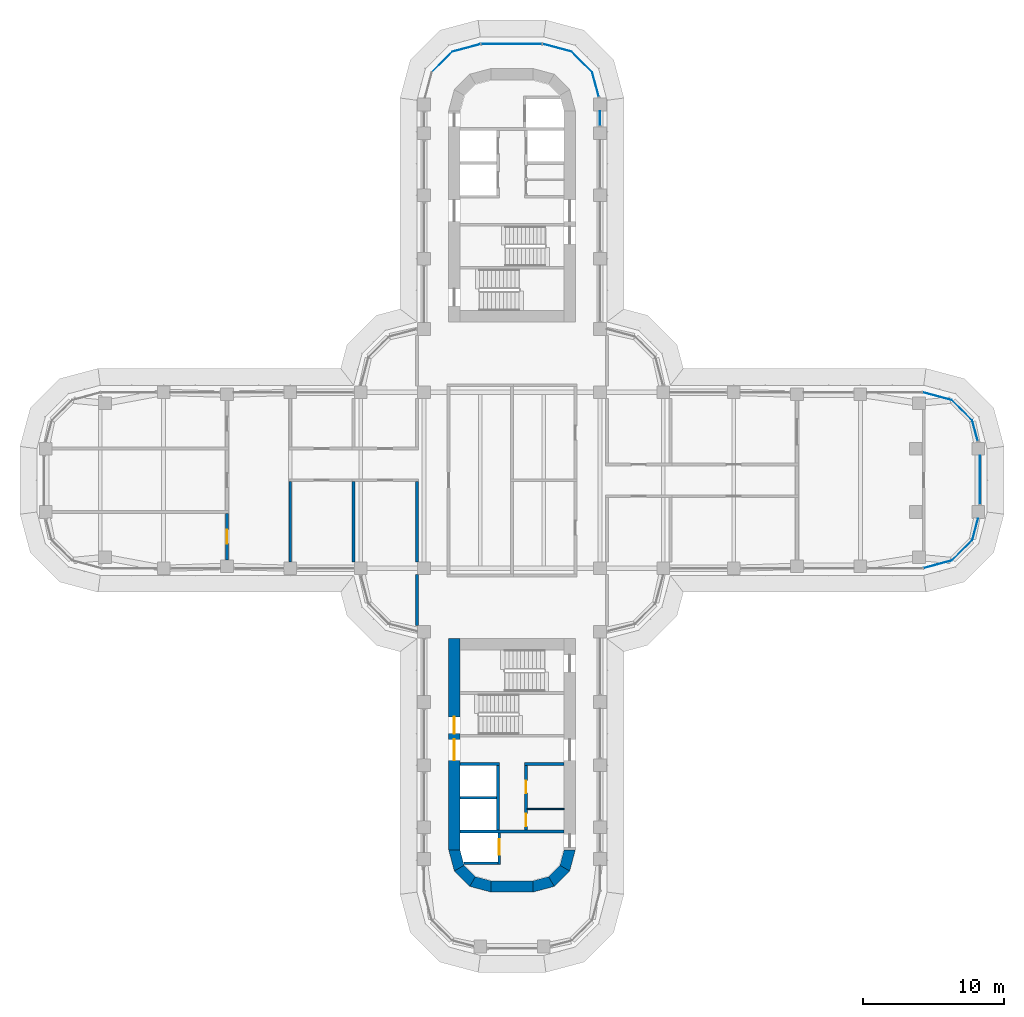
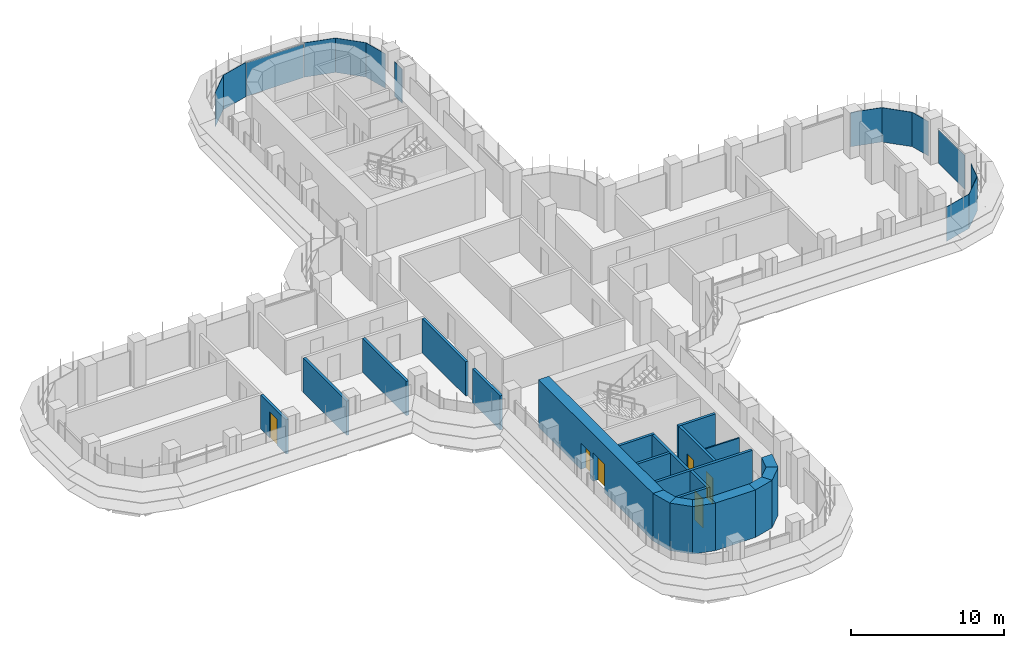
# One storey, part 15 of 22: 22 walls, 14 plates, 6 doors, 6 openings, 14 elements without a shape of their own.
"""IFC4 building model written with IfcOpenShell, lengths in metres."""

from ifc_helpers import new_model, si_unit, direction, frame, frame_2d, origin, place, context, subcontext, project, spatial, polyline, rectangle, outline, extrude, source, transform, mapped, material, layer, layer_set, type_object, element, fill, aggregate, save


model = new_model("IFC4")

# Units and contexts
model_context = context("Model", 3, precision=1e-05, world=origin(), true_north=direction((0.0, 1.0)))
body_context = subcontext(model_context, "Body", "Model", "MODEL_VIEW")
ifc_project = project(units=[si_unit("LENGTHUNIT", "METRE"), si_unit("AREAUNIT", "SQUARE_METRE"), si_unit("VOLUMEUNIT", "CUBIC_METRE"), si_unit("PLANEANGLEUNIT", "RADIAN"), si_unit("MASSUNIT", "GRAM", prefix="KILO")], contexts=[model_context])

# Site, building, storey
site_placement = place(None, origin())
site = spatial("IfcSite", under=ifc_project, at=site_placement, CompositionType="ELEMENT")
building_placement = place(site_placement, origin())
building = spatial("IfcBuilding", under=site, at=building_placement, Name="Zarbagh Exchange Tower", CompositionType="ELEMENT")
storey_placement = place(building_placement, frame((0.0, 0.0, 98.0)))
storey = spatial("IfcBuildingStorey", under=building, at=storey_placement, Name="L22", CompositionType="ELEMENT", Elevation=98.0)

# Curtain wall, plate
ifc_material_1 = material(Name="Anodised aluminium frame and glazing", Category="aluminium")
curtain_wall_type = type_object("IfcCurtainWallType", Name="CWA Ribbon glazing, lower zones", PredefinedType="NOTDEFINED", material=ifc_material_1)
curtain_wall_1_placement = place(storey_placement, origin())
curtain_wall_1 = element("IfcCurtainWall", 1, at=curtain_wall_1_placement, inside=storey, type_object=curtain_wall_type, Name="CWA13 curtain wall", PredefinedType="NOTDEFINED")
ifc_material_2 = material(Name="Low-e double glazed unit, 6+12+6 mm")
ifc_layer_1 = layer(ifc_material_2, 0.028076171875)
ifc_layer_set_1 = layer_set([ifc_layer_1], Name="PAA Glazing panel, Low-e double glazed unit, 6+12+6 mm")
plate_type = type_object("IfcPlateType", Name="PAA Glazing panel, Low-e double glazed unit, 6+12+6 mm", PredefinedType="CURTAIN_PANEL", material=ifc_layer_set_1)
shared_shape_1 = source(origin(), body_context, "Body", "SweptSolid", [
    extrude(outline(polyline([(0.0, -0.013916015625), (1.494140625, -0.013916015625), (1.494140625, 0.013916015625), (0.0, 0.013916015625), (0.0, -0.013916015625)])), origin(), (0.0, 0.0, 1.0), 2.75),
])
placement = place(storey_placement, origin())
plate_1 = element("IfcPlate", 2, at=placement, type_object=plate_type, Name="CWA13 glazing panel 1.1", PredefinedType="CURTAIN_PANEL", context=body_context, shape_type="MappedRepresentation", body=[
    mapped(shared_shape_1, transform((33.08544921875, 2.7978515625, 0.0), x_axis=(-0.258824779902, 0.965924289636, 0.0), y_axis=(-0.965924289636, -0.258824779902, 0.0), z_axis=(0.0, 0.0, 1.0))),
])
aggregate(curtain_wall_1, [plate_1])

curtain_wall_2_placement = place(storey_placement, origin())
curtain_wall_2 = element("IfcCurtainWall", 3, at=curtain_wall_2_placement, inside=storey, type_object=curtain_wall_type, Name="CWA10 curtain wall", PredefinedType="NOTDEFINED")
shared_shape_2 = source(origin(), body_context, "Body", "SweptSolid", [
    extrude(outline(polyline([(0.0, -0.013916015625), (2.061279296875, -0.013916015625), (2.061279296875, 0.013916015625), (0.0, 0.013916015625), (0.0, -0.013916015625)])), origin(), (0.0, 0.0, 1.0), 2.75),
])
plate_2 = element("IfcPlate", 4, at=placement, type_object=plate_type, Name="CWA10 glazing panel 1.1", PredefinedType="CURTAIN_PANEL", context=body_context, shape_type="MappedRepresentation", body=[
    mapped(shared_shape_2, transform((31.2412109375, -5.69873046875, 0.0), x_axis=(0.707106781187, 0.707106781187, 0.0), y_axis=(-0.707106781187, 0.707106781187, 0.0), z_axis=(0.0, 0.0, 1.0))),
])
aggregate(curtain_wall_2, [plate_2])

curtain_wall_3_placement = place(storey_placement, origin())
curtain_wall_3 = element("IfcCurtainWall", 5, at=curtain_wall_3_placement, inside=storey, type_object=curtain_wall_type, Name="CWA14 curtain wall", PredefinedType="NOTDEFINED")
plate_3 = element("IfcPlate", 6, at=placement, type_object=plate_type, Name="CWA14 glazing panel 1.1", PredefinedType="CURTAIN_PANEL", context=body_context, shape_type="MappedRepresentation", body=[
    mapped(shared_shape_2, transform((32.69873046875, 4.2412109375, 0.0), x_axis=(-0.707106781187, 0.707106781187, 0.0), y_axis=(-0.707106781187, -0.707106781187, 0.0), z_axis=(0.0, 0.0, 1.0))),
])
aggregate(curtain_wall_3, [plate_3])

curtain_wall_4_placement = place(storey_placement, origin())
curtain_wall_4 = element("IfcCurtainWall", 7, at=curtain_wall_4_placement, inside=storey, type_object=curtain_wall_type, Name="CWA51 curtain wall", PredefinedType="NOTDEFINED")
plate_4 = element("IfcPlate", 8, at=placement, type_object=plate_type, Name="CWA51 glazing panel 1.1", PredefinedType="CURTAIN_PANEL", context=body_context, shape_type="MappedRepresentation", body=[
    mapped(shared_shape_2, transform((5.69873046875, 28.9912109375, 0.0), x_axis=(-0.707106781187, 0.707106781187, 0.0), y_axis=(-0.707106781187, -0.707106781187, 0.0), z_axis=(0.0, 0.0, 1.0))),
])
aggregate(curtain_wall_4, [plate_4])

curtain_wall_5_placement = place(storey_placement, origin())
curtain_wall_5 = element("IfcCurtainWall", 9, at=curtain_wall_5_placement, inside=storey, type_object=curtain_wall_type, Name="CWA54 curtain wall", PredefinedType="NOTDEFINED")
plate_5 = element("IfcPlate", 10, at=placement, type_object=plate_type, Name="CWA54 glazing panel 1.1", PredefinedType="CURTAIN_PANEL", context=body_context, shape_type="MappedRepresentation", body=[
    mapped(shared_shape_2, transform((-4.2412109375, 30.44873046875, 0.0), x_axis=(-0.707106781187, -0.707106781187, 0.0), y_axis=(0.707106781187, -0.707106781187, 0.0), z_axis=(0.0, 0.0, 1.0))),
])
aggregate(curtain_wall_5, [plate_5])

curtain_wall_6_placement = place(storey_placement, origin())
curtain_wall_6 = element("IfcCurtainWall", 11, at=curtain_wall_6_placement, inside=storey, type_object=curtain_wall_type, Name="CWA15 curtain wall", PredefinedType="NOTDEFINED")
shared_shape_3 = source(origin(), body_context, "Body", "SweptSolid", [
    extrude(outline(polyline([(0.0, -0.013916015625), (2.129638671875, -0.013916015625), (2.129638671875, 0.013916015625), (0.0, 0.013916015625), (0.0, -0.013916015625)])), origin(), (0.0, 0.0, 1.0), 2.75),
])
plate_6 = element("IfcPlate", 12, at=placement, type_object=plate_type, Name="CWA15 glazing panel 1.1", PredefinedType="CURTAIN_PANEL", context=body_context, shape_type="MappedRepresentation", body=[
    mapped(shared_shape_3, transform((31.2412109375, 5.69873046875, 0.0), x_axis=(-0.965924289636, 0.258824779902, 0.0), y_axis=(-0.258824779902, -0.965924289636, 0.0), z_axis=(0.0, 0.0, 1.0))),
])
aggregate(curtain_wall_6, [plate_6])

curtain_wall_7_placement = place(storey_placement, origin())
curtain_wall_7 = element("IfcCurtainWall", 13, at=curtain_wall_7_placement, inside=storey, type_object=curtain_wall_type, Name="CWA52 curtain wall", PredefinedType="NOTDEFINED")
plate_7 = element("IfcPlate", 14, at=placement, type_object=plate_type, Name="CWA52 glazing panel 1.1", PredefinedType="CURTAIN_PANEL", context=body_context, shape_type="MappedRepresentation", body=[
    mapped(shared_shape_3, transform((4.2412109375, 30.44873046875, 0.0), x_axis=(-0.965924289636, 0.258824779902, 0.0), y_axis=(-0.258824779902, -0.965924289636, 0.0), z_axis=(0.0, 0.0, 1.0))),
])
aggregate(curtain_wall_7, [plate_7])

curtain_wall_8_placement = place(storey_placement, origin())
curtain_wall_8 = element("IfcCurtainWall", 15, at=curtain_wall_8_placement, inside=storey, type_object=curtain_wall_type, Name="CWA09 curtain wall", PredefinedType="NOTDEFINED")
shared_shape_4 = source(origin(), body_context, "Body", "SweptSolid", [
    extrude(outline(polyline([(0.0, -0.013916015625), (2.069580078125, -0.013916015625), (2.069580078125, 0.013916015625), (0.0, 0.013916015625), (0.0, -0.013916015625)])), origin(), (0.0, 0.0, 1.0), 2.75),
])
plate_8 = element("IfcPlate", 16, at=placement, type_object=plate_type, Name="CWA09 glazing panel 1.1", PredefinedType="CURTAIN_PANEL", context=body_context, shape_type="MappedRepresentation", body=[
    mapped(shared_shape_4, transform((29.2421875, -6.234375, 0.0), x_axis=(0.965924289636, 0.258824779902, 0.0), y_axis=(-0.258824779902, 0.965924289636, 0.0), z_axis=(0.0, 0.0, 1.0))),
])
aggregate(curtain_wall_8, [plate_8])

curtain_wall_9_placement = place(storey_placement, origin())
curtain_wall_9 = element("IfcCurtainWall", 17, at=curtain_wall_9_placement, inside=storey, type_object=curtain_wall_type, Name="CWA53 curtain wall", PredefinedType="NOTDEFINED")
plate_9 = element("IfcPlate", 18, at=placement, type_object=plate_type, Name="CWA53 glazing panel 1.1", PredefinedType="CURTAIN_PANEL", context=body_context, shape_type="MappedRepresentation", body=[
    mapped(shared_shape_4, transform((-2.2421875, 30.984375, 0.0), x_axis=(-0.965924289636, -0.258824779902, 0.0), y_axis=(0.258824779902, -0.965924289636, 0.0), z_axis=(0.0, 0.0, 1.0))),
])
aggregate(curtain_wall_9, [plate_9])

curtain_wall_10_placement = place(storey_placement, origin())
curtain_wall_10 = element("IfcCurtainWall", 19, at=curtain_wall_10_placement, inside=storey, type_object=curtain_wall_type, Name="CWA11 curtain wall", PredefinedType="NOTDEFINED")
shared_shape_5 = source(origin(), body_context, "Body", "SweptSolid", [
    extrude(outline(polyline([(0.0, -0.013916015625), (1.55419921875, -0.013916015625), (1.55419921875, 0.013916015625), (0.0, 0.013916015625), (0.0, -0.013916015625)])), origin(), (0.0, 0.0, 1.0), 2.75),
])
plate_10 = element("IfcPlate", 20, at=placement, type_object=plate_type, Name="CWA11 glazing panel 1.1", PredefinedType="CURTAIN_PANEL", context=body_context, shape_type="MappedRepresentation", body=[
    mapped(shared_shape_5, transform((32.69873046875, -4.2412109375, 0.0), x_axis=(0.258824779902, 0.965924289636, 0.0), y_axis=(-0.965924289636, 0.258824779902, 0.0), z_axis=(0.0, 0.0, 1.0))),
])
aggregate(curtain_wall_10, [plate_10])

curtain_wall_11_placement = place(storey_placement, origin())
curtain_wall_11 = element("IfcCurtainWall", 21, at=curtain_wall_11_placement, inside=storey, type_object=curtain_wall_type, Name="CWA12 curtain wall", PredefinedType="NOTDEFINED")
shared_shape_6 = source(origin(), body_context, "Body", "SweptSolid", [
    extrude(outline(polyline([(0.0, -0.013916015625), (3.4599609375, -0.013916015625), (3.4599609375, 0.013916015625), (0.0, 0.013916015625), (0.0, -0.013916015625)])), origin(), (0.0, 0.0, 1.0), 2.68994140625),
])
plate_11 = element("IfcPlate", 22, at=placement, type_object=plate_type, Name="CWA12 glazing panel 1.1", PredefinedType="CURTAIN_PANEL", context=body_context, shape_type="MappedRepresentation", body=[
    mapped(shared_shape_6, transform((33.25, -1.699951171875, 0.0), x_axis=(0.0, 1.0, 0.0), y_axis=(-1.0, 0.0, 0.0), z_axis=(0.0, 0.0, 1.0))),
])
aggregate(curtain_wall_11, [plate_11])

curtain_wall_12_placement = place(storey_placement, origin())
curtain_wall_12 = element("IfcCurtainWall", 23, at=curtain_wall_12_placement, inside=storey, type_object=curtain_wall_type, Name="CWA49 curtain wall", PredefinedType="NOTDEFINED")
shared_shape_7 = source(origin(), body_context, "Body", "SweptSolid", [
    extrude(outline(polyline([(0.0, -0.013916015625), (1.010009765625, -0.013916015625), (1.010009765625, 0.013916015625), (0.0, 0.013916015625), (0.0, -0.013916015625)])), origin(), (0.0, 0.0, 1.0), 2.75),
])
plate_12 = element("IfcPlate", 24, at=placement, type_object=plate_type, Name="CWA49 glazing panel 4.1", PredefinedType="CURTAIN_PANEL", context=body_context, shape_type="MappedRepresentation", body=[
    mapped(shared_shape_7, transform((6.25, 25.199951171875, 0.0), x_axis=(0.0, 1.0, 0.0), y_axis=(-1.0, 0.0, 0.0), z_axis=(0.0, 0.0, 1.0))),
])
aggregate(curtain_wall_12, [plate_12])

curtain_wall_13_placement = place(storey_placement, origin())
curtain_wall_13 = element("IfcCurtainWall", 25, at=curtain_wall_13_placement, inside=storey, type_object=curtain_wall_type, Name="CWA50 curtain wall", PredefinedType="NOTDEFINED")
shared_shape_8 = source(origin(), body_context, "Body", "SweptSolid", [
    extrude(outline(polyline([(0.0, -0.013916015625), (1.8046875, -0.013916015625), (1.8046875, 0.013916015625), (0.0, 0.013916015625), (0.0, -0.013916015625)])), origin(), (0.0, 0.0, 1.0), 2.75),
])
plate_13 = element("IfcPlate", 26, at=placement, type_object=plate_type, Name="CWA50 glazing panel 1.1", PredefinedType="CURTAIN_PANEL", context=body_context, shape_type="MappedRepresentation", body=[
    mapped(shared_shape_8, transform((6.166015625, 27.248046875, 0.0), x_axis=(-0.258824779902, 0.965924289636, 0.0), y_axis=(-0.965924289636, -0.258824779902, 0.0), z_axis=(0.0, 0.0, 1.0))),
])
aggregate(curtain_wall_13, [plate_13])

curtain_wall_14_placement = place(storey_placement, origin())
curtain_wall_14 = element("IfcCurtainWall", 27, at=curtain_wall_14_placement, inside=storey, type_object=curtain_wall_type, Name="CWA57 curtain wall", PredefinedType="NOTDEFINED")
shared_shape_9 = source(origin(), body_context, "Body", "SweptSolid", [
    extrude(outline(polyline([(0.0, -0.013916015625), (4.308349609375, -0.013916015625), (4.308349609375, 0.013916015625), (0.0, 0.013916015625), (0.0, -0.013916015625)])), origin(), (0.0, 0.0, 1.0), 2.68994140625),
])
plate_14 = element("IfcPlate", 28, at=placement, type_object=plate_type, Name="CWA57 glazing panel 1.1", PredefinedType="CURTAIN_PANEL", context=body_context, shape_type="MappedRepresentation", body=[
    mapped(shared_shape_9, transform((2.124267578125, 31.0, 0.0), x_axis=(-1.0, 0.0, 0.0), y_axis=(0.0, -1.0, 0.0), z_axis=(0.0, 0.0, 1.0))),
])
aggregate(curtain_wall_14, [plate_14])

# Walls
ifc_material_3 = material(Name="Dense blockwork", Category="masonry")
ifc_layer_2 = layer(ifc_material_3, 0.10009765625)
ifc_layer_set_2 = layer_set([ifc_layer_2], Name="Core partition 100 mm blockwork")
wall_type_1 = type_object("IfcWallType", Name="Core partition 100 mm blockwork", PredefinedType="PARTITIONING", material=ifc_layer_set_2)
wall_1_placement = place(storey_placement, frame((3.699951171875, -23.35009765625, 0.0), z_axis=(0.0, 0.0, 1.0), x_axis=(-1.0, 0.0, 0.0)))
element("IfcWall", 29, at=wall_1_placement, inside=storey, type_object=wall_type_1, Name="South core partition wall CUT-W-500", PredefinedType="PARTITIONING", context=body_context, shape_type="SweptSolid", body=[
    extrude(rectangle(XDim=2.599853515625, YDim=0.10009765625, at=frame_2d((1.2998046875, 0.0))), origin(), (0.0, 0.0, 1.0), 3.64990234375),
])
ifc_material_4 = material(Name="Fire-rated plasterboard partition")
ifc_layer_3 = layer(ifc_material_4, 0.199951171875)
ifc_layer_set_3 = layer_set([ifc_layer_3], Name="RATED PARTITION 200")
wall_type_2 = type_object("IfcWallType", Name="RATED PARTITION 200", PredefinedType="PARTITIONING", material=ifc_layer_set_3)
wall_2_placement = place(storey_placement, frame((-6.75, -10.300048828125, 0.0), z_axis=(0.0, 0.0, 1.0), x_axis=(0.0, 1.0, 0.0)))
element("IfcWall", 30, at=wall_2_placement, inside=storey, type_object=wall_type_2, Name="Partition W-804", PredefinedType="PARTITIONING", context=body_context, shape_type="SweptSolid", body=[
    extrude(rectangle(XDim=3.60009765625, YDim=0.199951171875, at=frame_2d((1.800048828125, 0.0))), origin(), (0.0, 0.0, 1.0), 2.738037109375),
])
for number, where, z_axis, x_axis, name in (
    (31, (-6.75, -5.800048828125, 0.0), (0.0, 0.0, 1.0), (0.0, 1.0, 0.0), "Partition W-805"),
    (32, (-11.25, -5.800048828125, 0.0), (0.0, 0.0, 1.0), (0.0, 1.0, 0.0), "Partition W-834"),
    (33, (-15.75, -5.800048828125, 0.0), (0.0, 0.0, 1.0), (0.0, 1.0, 0.0), "Partition W-836"),
):
    element("IfcWall", number, at=place(storey_placement, frame(where, z_axis=z_axis, x_axis=x_axis)), inside=storey, type_object=wall_type_2, Name=name, PredefinedType="PARTITIONING", context=body_context, shape_type="SweptSolid", body=[
        extrude(rectangle(XDim=5.699951171875, YDim=0.199951171875, at=frame_2d((2.85009765625, 0.0))), origin(), (0.0, 0.0, 1.0), 2.738037109375),
    ])

# Wall, opening, door
wall_3_placement = place(storey_placement, frame((-20.25, -5.659912109375, 0.0), z_axis=(0.0, 0.0, 1.0), x_axis=(0.0, 1.0, 0.0)))
wall_3 = element("IfcWall", 34, at=wall_3_placement, inside=storey, type_object=wall_type_2, Name="Partition W-837", PredefinedType="PARTITIONING", context=body_context, shape_type="SweptSolid", body=[
    extrude(rectangle(XDim=3.309814453125, YDim=0.199951171875, at=frame_2d((1.65478515625, 0.0))), origin(), (0.0, 0.0, 1.0), 2.738037109375),
])
opening_1_placement = place(wall_3_placement, frame((1.155029296875, 0.0, 0.0)))
opening_1 = element("IfcOpeningElement", 35, at=opening_1_placement, cuts=wall_3, Name="Opening D-814", PredefinedType="OPENING", context=body_context, shape_type="SweptSolid", body=[
    extrude(rectangle(XDim=1.0, YDim=2.10009765625, at=frame_2d((0.5, 1.050048828125))), frame((0.0, 0.10986328125, 0.0), z_axis=(0.0, -1.0, 0.0), x_axis=(1.0, 0.0, 0.0)), (0.0, 0.0, 1.0), 0.219970703125),
])
ifc_material_5 = material(Name="Steel door set", Category="steel")
door_type_1 = type_object("IfcDoorType", Name="FIRE DOOR 1000 X 2100 FD30S", OperationType="NOTDEFINED", PredefinedType="DOOR", material=ifc_material_5)
door_1_placement = place(opening_1_placement, origin())
door_1 = element("IfcDoor", 36, at=door_1_placement, inside=storey, type_object=door_type_1, Name="Door D-814", OperationType="SINGLE_SWING_RIGHT", OverallHeight=2.10009765625, OverallWidth=1.0, PredefinedType="DOOR", context=body_context, shape_type="SweptSolid", body=[
    extrude(rectangle(XDim=1.0, YDim=2.10009765625, at=frame_2d((0.5, 1.050048828125))), frame((0.0, 0.02490234375, 0.0), z_axis=(0.0, -1.0, 0.0), x_axis=(1.0, 0.0, 0.0)), (0.0, 0.0, 1.0), 0.050048828125),
])
fill(opening_1, door_1)

# Walls
ifc_material_6 = material(Name="Concrete C60/75", Category="concrete")
ifc_layer_4 = layer(ifc_material_6, 0.800048828125)
ifc_layer_set_4 = layer_set([ifc_layer_4], Name="RC core corner wall 800 C60/75")
wall_type_3 = type_object("IfcWallType", Name="RC core corner wall 800 C60/75", PredefinedType="SHEAR", material=ifc_layer_set_4)
wall_4_placement = place(storey_placement, origin())
element("IfcWall", 37, at=wall_4_placement, inside=storey, type_object=wall_type_3, Name="CW4 core S corner W", PredefinedType="SHEAR", context=body_context, shape_type="SweptSolid", body=[
    extrude(outline(polyline([(-4.5, -26.25), (-4.09814453125, -27.75), (-3.4052734375, -27.35009765625), (-3.699951171875, -26.25), (-4.5, -26.25)])), origin(), (0.0, 0.0, 1.0), 3.800048828125),
])
wall_5_placement = place(storey_placement, origin())
element("IfcWall", 38, at=wall_5_placement, inside=storey, type_object=wall_type_3, Name="CW4 core S corner W", PredefinedType="SHEAR", context=body_context, shape_type="SweptSolid", body=[
    extrude(outline(polyline([(-4.09814453125, -27.75), (-3.0, -28.84814453125), (-2.60009765625, -28.1552734375), (-3.4052734375, -27.35009765625), (-4.09814453125, -27.75)])), origin(), (0.0, 0.0, 1.0), 3.800048828125),
])
wall_6_placement = place(storey_placement, origin())
element("IfcWall", 39, at=wall_6_placement, inside=storey, type_object=wall_type_3, Name="CW4 core S corner W", PredefinedType="SHEAR", context=body_context, shape_type="SweptSolid", body=[
    extrude(outline(polyline([(-3.0, -28.84814453125), (-1.5, -29.25), (-1.5, -28.449951171875), (-2.60009765625, -28.1552734375), (-3.0, -28.84814453125)])), origin(), (0.0, 0.0, 1.0), 3.800048828125),
])
wall_7_placement = place(storey_placement, origin())
element("IfcWall", 40, at=wall_7_placement, inside=storey, type_object=wall_type_3, Name="CW4 core S corner E", PredefinedType="SHEAR", context=body_context, shape_type="SweptSolid", body=[
    extrude(outline(polyline([(4.5, -26.25), (4.09814453125, -27.75), (3.4052734375, -27.35009765625), (3.699951171875, -26.25), (4.5, -26.25)])), origin(), (0.0, 0.0, 1.0), 3.800048828125),
])
wall_8_placement = place(storey_placement, origin())
element("IfcWall", 41, at=wall_8_placement, inside=storey, type_object=wall_type_3, Name="CW4 core S corner E", PredefinedType="SHEAR", context=body_context, shape_type="SweptSolid", body=[
    extrude(outline(polyline([(4.09814453125, -27.75), (3.0, -28.84814453125), (2.60009765625, -28.1552734375), (3.4052734375, -27.35009765625), (4.09814453125, -27.75)])), origin(), (0.0, 0.0, 1.0), 3.800048828125),
])
wall_9_placement = place(storey_placement, origin())
element("IfcWall", 42, at=wall_9_placement, inside=storey, type_object=wall_type_3, Name="CW4 core S corner E", PredefinedType="SHEAR", context=body_context, shape_type="SweptSolid", body=[
    extrude(outline(polyline([(3.0, -28.84814453125), (1.5, -29.25), (1.5, -28.449951171875), (2.60009765625, -28.1552734375), (3.0, -28.84814453125)])), origin(), (0.0, 0.0, 1.0), 3.800048828125),
])

# Wall, openings, doors
ifc_layer_5 = layer(ifc_material_6, 0.800048828125)
ifc_layer_set_5 = layer_set([ifc_layer_5], Name="RC core wall 800 C60/75")
wall_type_4 = type_object("IfcWallType", Name="RC core wall 800 C60/75", PredefinedType="SHEAR", material=ifc_layer_set_5)
wall_10_placement = place(storey_placement, frame((-4.10009765625, -11.25, 0.0), z_axis=(0.0, 0.0, 1.0), x_axis=(0.0, -1.0, 0.0)))
wall_10 = element("IfcWall", 43, at=wall_10_placement, inside=storey, type_object=wall_type_4, Name="CW3 core S W", PredefinedType="SHEAR", context=body_context, shape_type="SweptSolid", body=[
    extrude(rectangle(XDim=15.0, YDim=0.800048828125, at=frame_2d((7.5, 0.0))), origin(), (0.0, 0.0, 1.0), 3.800048828125),
])
opening_2_placement = place(wall_10_placement, frame((7.14990234375, 0.0, 0.0)))
opening_2 = element("IfcOpeningElement", 44, at=opening_2_placement, cuts=wall_10, Name="Opening CD1-1500", PredefinedType="OPENING", context=body_context, shape_type="SweptSolid", body=[
    extrude(rectangle(XDim=1.5, YDim=2.300048828125, at=frame_2d((0.75, 1.14990234375))), frame((0.0, 0.409912109375, 0.0), z_axis=(0.0, -1.0, 0.0), x_axis=(1.0, 0.0, 0.0)), (0.0, 0.0, 1.0), 0.820068359375),
])
opening_3_placement = place(wall_10_placement, frame((5.550048828125, 0.0, 0.0)))
opening_3 = element("IfcOpeningElement", 45, at=opening_3_placement, cuts=wall_10, Name="Opening SD1-1200", PredefinedType="OPENING", context=body_context, shape_type="SweptSolid", body=[
    extrude(rectangle(XDim=1.199951171875, YDim=2.10009765625, at=frame_2d((0.60009765625, 1.050048828125))), frame((0.0, 0.409912109375, 0.0), z_axis=(0.0, -1.0, 0.0), x_axis=(1.0, 0.0, 0.0)), (0.0, 0.0, 1.0), 0.820068359375),
])
ifc_material_7 = material(Name="Steel", Category="steel")
door_type_2 = type_object("IfcDoorType", Name="Exit stair door 1200 x 2100", OperationType="NOTDEFINED", PredefinedType="DOOR", material=ifc_material_7)
door_2_placement = place(opening_3_placement, origin())
door_2 = element("IfcDoor", 46, at=door_2_placement, inside=storey, type_object=door_type_2, Name="South core stair door ST1", OperationType="SINGLE_SWING_LEFT", OverallHeight=2.10009765625, OverallWidth=1.199951171875, PredefinedType="DOOR", context=body_context, shape_type="SweptSolid", body=[
    extrude(rectangle(XDim=1.199951171875, YDim=2.10009765625, at=frame_2d((0.60009765625, 1.050048828125))), frame((0.0, 0.02490234375, 0.0), z_axis=(0.0, -1.0, 0.0), x_axis=(1.0, 0.0, 0.0)), (0.0, 0.0, 1.0), 0.050048828125),
])
fill(opening_3, door_2)
door_type_3 = type_object("IfcDoorType", Name="Lift lobby double door 1500 x 2300", OperationType="NOTDEFINED", PredefinedType="DOOR", material=ifc_material_7)
door_3_placement = place(opening_2_placement, origin())
door_3 = element("IfcDoor", 47, at=door_3_placement, inside=storey, type_object=door_type_3, Name="South core lift lobby door LOBBY-E", OperationType="DOUBLE_DOOR_SINGLE_SWING", OverallHeight=2.300048828125, OverallWidth=1.5, PredefinedType="DOOR", context=body_context, shape_type="SweptSolid", body=[
    extrude(rectangle(XDim=1.5, YDim=2.300048828125, at=frame_2d((0.75, 1.14990234375))), frame((0.0, 0.02490234375, 0.0), z_axis=(0.0, -1.0, 0.0), x_axis=(1.0, 0.0, 0.0)), (0.0, 0.0, 1.0), 0.050048828125),
])
fill(opening_2, door_3)

# Walls
wall_11_placement = place(storey_placement, frame((-1.5, -28.85009765625, 0.0), z_axis=(0.0, 0.0, 1.0), x_axis=(1.0, 0.0, 0.0)))
element("IfcWall", 48, at=wall_11_placement, inside=storey, type_object=wall_type_4, Name="CW3 core S outer end", PredefinedType="SHEAR", context=body_context, shape_type="SweptSolid", body=[
    extrude(rectangle(XDim=3.0, YDim=0.800048828125, at=frame_2d((1.5, 0.0))), origin(), (0.0, 0.0, 1.0), 3.800048828125),
])
ifc_layer_6 = layer(ifc_material_3, 0.199951171875)
ifc_layer_set_6 = layer_set([ifc_layer_6], Name="Shaft wall 200 mm blockwork")
wall_type_5 = type_object("IfcWallType", Name="Shaft wall 200 mm blockwork", PredefinedType="PARTITIONING", material=ifc_layer_set_6)
wall_12_placement = place(storey_placement, frame((3.699951171875, -20.14990234375, 0.0), z_axis=(0.0, 0.0, 1.0), x_axis=(-1.0, 0.0, 0.0)))
element("IfcWall", 49, at=wall_12_placement, inside=storey, type_object=wall_type_5, Name="South core shaft wall AB-W", PredefinedType="PARTITIONING", context=body_context, shape_type="SweptSolid", body=[
    extrude(rectangle(XDim=2.800048828125, YDim=0.199951171875, at=frame_2d((1.39990234375, 0.0))), origin(), (0.0, 0.0, 1.0), 3.64990234375),
])

# Wall, openings, doors
wall_13_placement = place(storey_placement, frame((1.0, -24.85009765625, 0.0), z_axis=(0.0, 0.0, 1.0), x_axis=(0.0, 1.0, 0.0)))
wall_13 = element("IfcWall", 50, at=wall_13_placement, inside=storey, type_object=wall_type_5, Name="South core shaft wall LW-W", PredefinedType="PARTITIONING", context=body_context, shape_type="SweptSolid", body=[
    extrude(rectangle(XDim=4.60009765625, YDim=0.199951171875, at=frame_2d((2.300048828125, 0.0))), origin(), (0.0, 0.0, 1.0), 3.64990234375),
])
opening_4_placement = place(wall_13_placement, frame((0.27490234375, 0.0, 0.0)))
opening_4 = element("IfcOpeningElement", 51, at=opening_4_placement, cuts=wall_13, Name="Opening CD3-900", PredefinedType="OPENING", context=body_context, shape_type="SweptSolid", body=[
    extrude(rectangle(XDim=0.89990234375, YDim=2.10009765625, at=frame_2d((0.449951171875, 1.050048828125))), frame((0.0, 0.10986328125, 0.0), z_axis=(0.0, -1.0, 0.0), x_axis=(1.0, 0.0, 0.0)), (0.0, 0.0, 1.0), 0.219970703125),
])
opening_5_placement = place(wall_13_placement, frame((2.625, 0.0, 0.0)))
opening_5 = element("IfcOpeningElement", 52, at=opening_5_placement, cuts=wall_13, Name="Opening CD3-900", PredefinedType="OPENING", context=body_context, shape_type="SweptSolid", body=[
    extrude(rectangle(XDim=0.89990234375, YDim=2.10009765625, at=frame_2d((0.449951171875, 1.050048828125))), frame((0.0, 0.10986328125, 0.0), z_axis=(0.0, -1.0, 0.0), x_axis=(1.0, 0.0, 0.0)), (0.0, 0.0, 1.0), 0.219970703125),
])
door_type_4 = type_object("IfcDoorType", Name="Core room door 900 x 2100", OperationType="NOTDEFINED", PredefinedType="DOOR", material=ifc_material_7)
door_4_placement = place(opening_4_placement, origin())
door_4 = element("IfcDoor", 53, at=door_4_placement, inside=storey, type_object=door_type_4, Name="South core Cleaner's store door RD-W-0", OperationType="SINGLE_SWING_LEFT", OverallHeight=2.10009765625, OverallWidth=0.89990234375, PredefinedType="DOOR", context=body_context, shape_type="SweptSolid", body=[
    extrude(rectangle(XDim=0.89990234375, YDim=2.10009765625, at=frame_2d((0.449951171875, 1.050048828125))), frame((0.0, 0.02490234375, 0.0), z_axis=(0.0, -1.0, 0.0), x_axis=(1.0, 0.0, 0.0)), (0.0, 0.0, 1.0), 0.050048828125),
])
fill(opening_4, door_4)
door_5_placement = place(opening_5_placement, origin())
door_5 = element("IfcDoor", 54, at=door_5_placement, inside=storey, type_object=door_type_4, Name="South core Accessible WC door RD-W-1", OperationType="SINGLE_SWING_LEFT", OverallHeight=2.10009765625, OverallWidth=0.89990234375, PredefinedType="DOOR", context=body_context, shape_type="SweptSolid", body=[
    extrude(rectangle(XDim=0.89990234375, YDim=2.10009765625, at=frame_2d((0.449951171875, 1.050048828125))), frame((0.0, 0.02490234375, 0.0), z_axis=(0.0, -1.0, 0.0), x_axis=(1.0, 0.0, 0.0)), (0.0, 0.0, 1.0), 0.050048828125),
])
fill(opening_5, door_5)

# Walls
wall_14_placement = place(storey_placement, frame((-0.89990234375, -20.14990234375, 0.0), z_axis=(0.0, 0.0, 1.0), x_axis=(-1.0, 0.0, 0.0)))
element("IfcWall", 55, at=wall_14_placement, inside=storey, type_object=wall_type_5, Name="South core shaft wall AB-E", PredefinedType="PARTITIONING", context=body_context, shape_type="SweptSolid", body=[
    extrude(rectangle(XDim=2.800048828125, YDim=0.199951171875, at=frame_2d((1.39990234375, 0.0))), origin(), (0.0, 0.0, 1.0), 3.64990234375),
])
wall_15_placement = place(storey_placement, frame((-1.0, -24.85009765625, 0.0), z_axis=(0.0, 0.0, 1.0), x_axis=(0.0, 1.0, 0.0)))
element("IfcWall", 56, at=wall_15_placement, inside=storey, type_object=wall_type_5, Name="South core shaft wall LW-E", PredefinedType="PARTITIONING", context=body_context, shape_type="SweptSolid", body=[
    extrude(rectangle(XDim=4.60009765625, YDim=0.199951171875, at=frame_2d((2.300048828125, 0.0))), origin(), (0.0, 0.0, 1.0), 3.64990234375),
])
wall_16_placement = place(storey_placement, frame((-1.10009765625, -22.550048828125, 0.0), z_axis=(0.0, 0.0, 1.0), x_axis=(-1.0, 0.0, 0.0)))
element("IfcWall", 57, at=wall_16_placement, inside=storey, type_object=wall_type_5, Name="South core shaft wall TR-E", PredefinedType="PARTITIONING", context=body_context, shape_type="SweptSolid", body=[
    extrude(rectangle(XDim=2.599853515625, YDim=0.199951171875, at=frame_2d((1.2998046875, 0.0))), origin(), (0.0, 0.0, 1.0), 3.64990234375),
])
ifc_material_8 = material(Name="Concrete C40/50", Category="concrete")
ifc_layer_7 = layer(ifc_material_8, 0.199951171875)
ifc_layer_set_7 = layer_set([ifc_layer_7], Name="Stair enclosure wall 200 mm RC C40/50")
wall_type_6 = type_object("IfcWallType", Name="Stair enclosure wall 200 mm RC C40/50", PredefinedType="SHEAR", material=ifc_layer_set_7)
wall_17_placement = place(storey_placement, frame((3.699951171875, -24.949951171875, 0.0), z_axis=(0.0, 0.0, 1.0), x_axis=(-1.0, 0.0, 0.0)))
element("IfcWall", 58, at=wall_17_placement, inside=storey, type_object=wall_type_6, Name="South core lift shaft wall FFA", PredefinedType="SHEAR", context=body_context, shape_type="SweptSolid", body=[
    extrude(rectangle(XDim=7.39990234375, YDim=0.199951171875, at=frame_2d((3.699951171875, 0.0))), origin(), (0.0, 0.0, 1.0), 3.64990234375),
])

# Wall, opening, door
wall_18_placement = place(storey_placement, frame((-0.89990234375, -27.300048828125, 0.0), z_axis=(0.0, 0.0, 1.0), x_axis=(0.0, 1.0, 0.0)))
wall_18 = element("IfcWall", 59, at=wall_18_placement, inside=storey, type_object=wall_type_6, Name="South core lift shaft wall FFL", PredefinedType="SHEAR", context=body_context, shape_type="SweptSolid", body=[
    extrude(rectangle(XDim=2.25, YDim=0.199951171875, at=frame_2d((1.125, 0.0))), origin(), (0.0, 0.0, 1.0), 3.64990234375),
])
opening_6_placement = place(wall_18_placement, frame((0.699951171875, 0.0, 0.0)))
opening_6 = element("IfcOpeningElement", 60, at=opening_6_placement, cuts=wall_18, Name="Opening LD-1100", PredefinedType="OPENING", context=body_context, shape_type="SweptSolid", body=[
    extrude(rectangle(XDim=1.10009765625, YDim=2.300048828125, at=frame_2d((0.550048828125, 1.14990234375))), frame((0.0, 0.10986328125, 0.0), z_axis=(0.0, -1.0, 0.0), x_axis=(1.0, 0.0, 0.0)), (0.0, 0.0, 1.0), 0.219970703125),
])
ifc_material_9 = material(Name="Stainless steel", Category="steel")
door_type_5 = type_object("IfcDoorType", Name="Lift landing door 1100 x 2300", OperationType="NOTDEFINED", PredefinedType="DOOR", material=ifc_material_9)
door_6_placement = place(opening_6_placement, origin())
door_6 = element("IfcDoor", 61, at=door_6_placement, inside=storey, type_object=door_type_5, Name="South core lift landing door LD-F", OperationType="DOUBLE_DOOR_SLIDING", OverallHeight=2.300048828125, OverallWidth=1.10009765625, PredefinedType="DOOR", context=body_context, shape_type="SweptSolid", body=[
    extrude(rectangle(XDim=1.10009765625, YDim=2.300048828125, at=frame_2d((0.550048828125, 1.14990234375))), frame((0.0, 0.02490234375, 0.0), z_axis=(0.0, -1.0, 0.0), x_axis=(1.0, 0.0, 0.0)), (0.0, 0.0, 1.0), 0.050048828125),
])
fill(opening_6, door_6)

# Wall
wall_19_placement = place(storey_placement, origin())
element("IfcWall", 62, at=wall_19_placement, inside=storey, type_object=wall_type_6, Name="South core lift shaft wall FFX", PredefinedType="SHEAR", context=body_context, shape_type="SweptSolid", body=[
    extrude(outline(polyline([(-1.0, -27.10009765625), (-3.444091796875, -27.10009765625), (-3.390380859375, -27.300048828125), (-1.0, -27.300048828125), (-1.0, -27.10009765625)])), origin(), (0.0, 0.0, 1.0), 3.64990234375),
])

save(model, "model.ifc")
